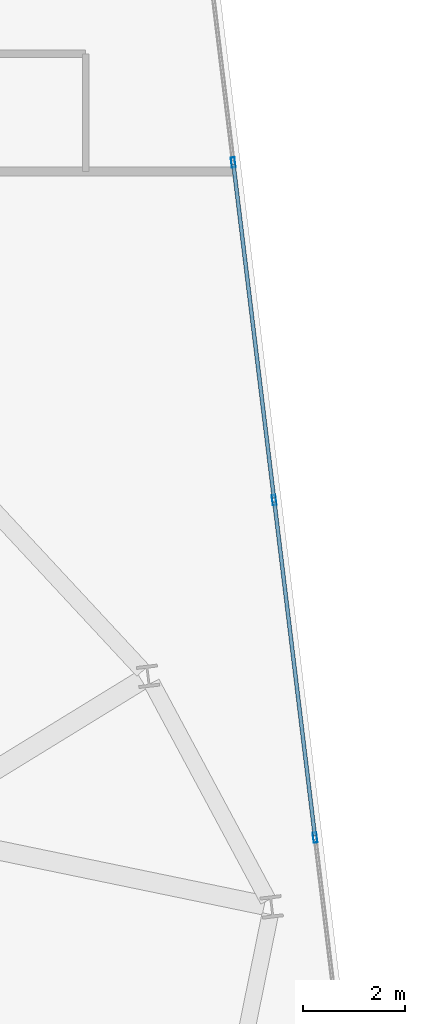
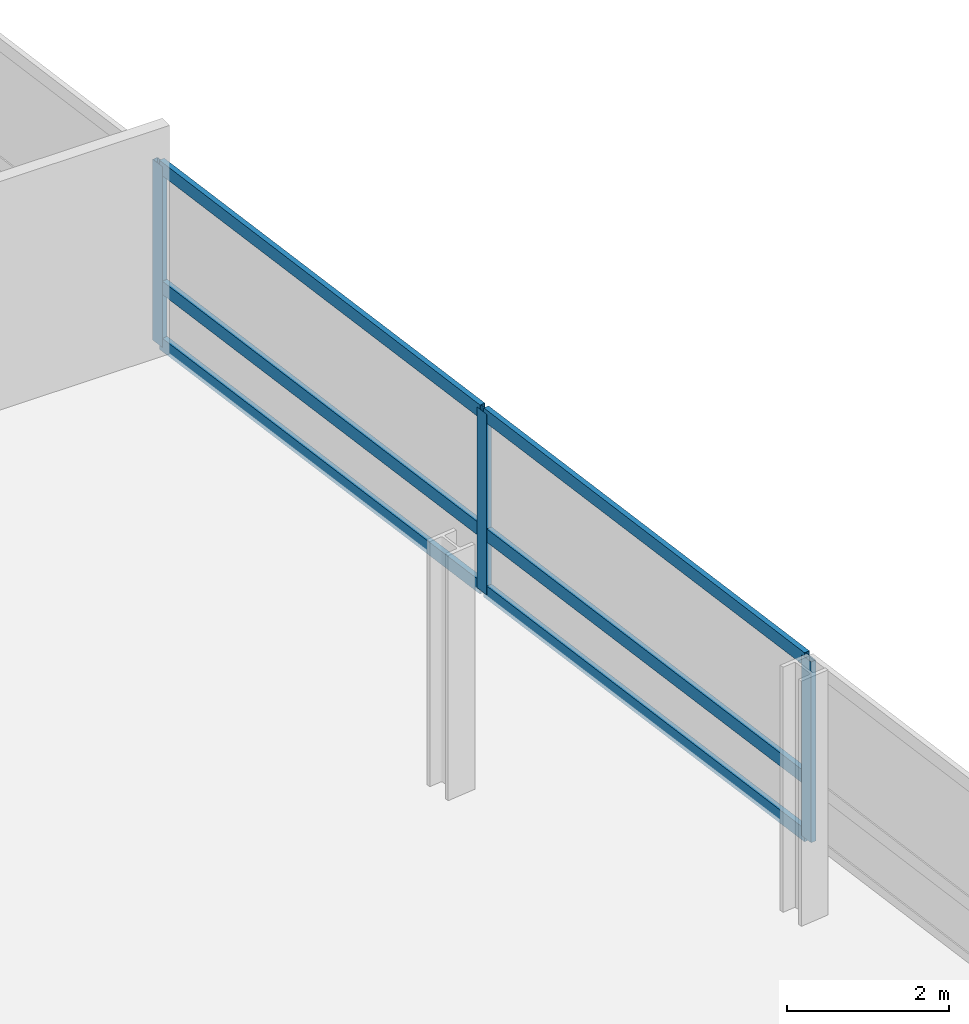
# One storey, part 11 of 23: 9 members, 1 element without a shape of its own.
"""IFC4 building model written with IfcOpenShell, lengths in metres."""

from ifc_helpers import new_model, si_unit, direction, frame, origin, origin_2d, place, context, subcontext, project, spatial, hollow_rectangle, extrude, material, layer, layer_set, material_profile, profile_set, type_object, element, aggregate, save


model = new_model("IFC4")

# Units and contexts
model_context = context("Model", 3, precision=1e-05, world=origin(), true_north=direction((0.0, 1.0)))
body_context = subcontext(model_context, "Body", "Model", "MODEL_VIEW")
ifc_project = project(units=[si_unit("LENGTHUNIT", "METRE"), si_unit("AREAUNIT", "SQUARE_METRE"), si_unit("VOLUMEUNIT", "CUBIC_METRE"), si_unit("PLANEANGLEUNIT", "RADIAN"), si_unit("MASSUNIT", "GRAM", prefix="KILO")], contexts=[model_context])

# Site, building, storey
site_placement = place(None, origin())
site = spatial("IfcSite", under=ifc_project, at=site_placement, CompositionType="ELEMENT")
building_placement = place(site_placement, origin())
building = spatial("IfcBuilding", under=site, at=building_placement, Name="Varnelok Gate Tower", CompositionType="ELEMENT")
storey_placement = place(building_placement, frame((0.0, 0.0, 200.5)))
storey = spatial("IfcBuildingStorey", under=building, at=storey_placement, Name="L51", CompositionType="ELEMENT", Elevation=200.5)

# Curtain wall, members
ifc_material = material(Name="Anodized Aluminum Alloy 6063-T6", Category="aluminium")
ifc_layer = layer(ifc_material, 0.179931640625)
ifc_layer_set = layer_set([ifc_layer], Name="Anodized Aluminum Alloy 6063-T6")
curtain_wall_type = type_object("IfcCurtainWallType", Name="CW4-RESIDENCE-VISION", PredefinedType="USERDEFINED", material=ifc_layer_set)
curtain_wall_placement = place(storey_placement, origin())
curtain_wall = element("IfcCurtainWall", 1, at=curtain_wall_placement, inside=storey, type_object=curtain_wall_type, Name="L51 East End Vision Curtain Wall", ObjectType="UNITISED CURTAIN WALL", PredefinedType="USERDEFINED")
ifc_material_profile_1 = material_profile(ifc_material, hollow_rectangle(XDim=0.074951171875, YDim=0.199951171875, WallThickness=0.00390625, at=origin_2d()), Name="ALU200X75X4")
ifc_profile_set_1 = profile_set([ifc_material_profile_1], Name="Anodized Aluminum Alloy 6063-T6")
member_type_1 = type_object("IfcMemberType", Name="CW-MULL-200", PredefinedType="MULLION", material=ifc_profile_set_1)
member_1_placement = place(storey_placement, frame((72.898681640625, 39.478515625, 0.0), z_axis=(0.0, 0.0, 1.0), x_axis=(0.992732188751, 0.120344511371, 0.0)))
member_1 = element("IfcMember", 2, at=member_1_placement, type_object=member_type_1, Name="CW4 mullion 2", PredefinedType="MULLION", context=body_context, shape_type="SweptSolid", body=[
    extrude(hollow_rectangle(XDim=0.074951171875, YDim=0.199951171875, WallThickness=0.00390625, at=origin_2d()), origin(), (0.0, 0.0, 1.0), 2.72998046875),
])
member_2_placement = place(storey_placement, frame((73.702392578125, 32.846923828125, 0.0), z_axis=(0.0, 0.0, 1.0), x_axis=(0.992732188751, 0.120344511371, 0.0)))
member_2 = element("IfcMember", 3, at=member_2_placement, type_object=member_type_1, Name="CW4 mullion 3", PredefinedType="MULLION", context=body_context, shape_type="SweptSolid", body=[
    extrude(hollow_rectangle(XDim=0.074951171875, YDim=0.199951171875, WallThickness=0.00390625, at=origin_2d()), origin(), (0.0, 0.0, 1.0), 2.72998046875),
])
member_3_placement = place(storey_placement, frame((74.50634765625, 26.215576171875, 0.0), z_axis=(0.0, 0.0, 1.0), x_axis=(0.992732188751, 0.120344511371, 0.0)))
member_3 = element("IfcMember", 4, at=member_3_placement, type_object=member_type_1, Name="CW4 mullion 4", PredefinedType="MULLION", context=body_context, shape_type="SweptSolid", body=[
    extrude(hollow_rectangle(XDim=0.074951171875, YDim=0.199951171875, WallThickness=0.00390625, at=origin_2d()), origin(), (0.0, 0.0, 1.0), 2.72998046875),
])
ifc_material_profile_2 = material_profile(ifc_material, hollow_rectangle(XDim=0.074951171875, YDim=0.199951171875, WallThickness=0.00390625, at=origin_2d()), Name="ALU200X75X4")
ifc_profile_set_2 = profile_set([ifc_material_profile_2], Name="Anodized Aluminum Alloy 6063-T6")
member_type_2 = type_object("IfcMemberType", Name="CW-TRAN-200", PredefinedType="USERDEFINED", material=ifc_profile_set_2)
member_4_placement = place(storey_placement, frame((72.903076171875, 39.441162109375, 0.03759765625), z_axis=(0.120353445289, -0.992731105691, 0.0), x_axis=(0.992731105691, 0.120353445289, 0.0)))
member_4 = element("IfcMember", 5, at=member_4_placement, type_object=member_type_2, Name="CW4 transom 2.1", ObjectType="TRANSOM", PredefinedType="USERDEFINED", context=body_context, shape_type="SweptSolid", body=[
    extrude(hollow_rectangle(XDim=0.074951171875, YDim=0.199951171875, WallThickness=0.00390625, at=origin_2d()), origin(), (0.0, 0.0, 1.0), 6.60498046875),
])
member_5_placement = place(storey_placement, frame((72.903076171875, 39.441162109375, 0.89990234375), z_axis=(0.120353445289, -0.992731105691, 0.0), x_axis=(0.992731105691, 0.120353445289, 0.0)))
member_5 = element("IfcMember", 6, at=member_5_placement, type_object=member_type_2, Name="CW4 transom 2.2", ObjectType="TRANSOM", PredefinedType="USERDEFINED", context=body_context, shape_type="SweptSolid", body=[
    extrude(hollow_rectangle(XDim=0.074951171875, YDim=0.199951171875, WallThickness=0.00390625, at=origin_2d()), origin(), (0.0, 0.0, 1.0), 6.60498046875),
])
member_6_placement = place(storey_placement, frame((72.903076171875, 39.441162109375, 2.6923828125), z_axis=(0.120353445289, -0.992731105691, 0.0), x_axis=(0.992731105691, 0.120353445289, 0.0)))
member_6 = element("IfcMember", 7, at=member_6_placement, type_object=member_type_2, Name="CW4 transom 2.3", ObjectType="TRANSOM", PredefinedType="USERDEFINED", context=body_context, shape_type="SweptSolid", body=[
    extrude(hollow_rectangle(XDim=0.074951171875, YDim=0.199951171875, WallThickness=0.00390625, at=origin_2d()), origin(), (0.0, 0.0, 1.0), 6.60498046875),
])
member_7_placement = place(storey_placement, frame((73.70703125, 32.809814453125, 0.03759765625), z_axis=(0.120349029092, -0.992731641078, 0.0), x_axis=(0.992731641078, 0.120349029092, 0.0)))
member_7 = element("IfcMember", 8, at=member_7_placement, type_object=member_type_2, Name="CW4 transom 3.1", ObjectType="TRANSOM", PredefinedType="USERDEFINED", context=body_context, shape_type="SweptSolid", body=[
    extrude(hollow_rectangle(XDim=0.074951171875, YDim=0.199951171875, WallThickness=0.00390625, at=origin_2d()), origin(), (0.0, 0.0, 1.0), 6.605224609375),
])
member_8_placement = place(storey_placement, frame((73.70703125, 32.809814453125, 0.89990234375), z_axis=(0.120349029092, -0.992731641078, 0.0), x_axis=(0.992731641078, 0.120349029092, 0.0)))
member_8 = element("IfcMember", 9, at=member_8_placement, type_object=member_type_2, Name="CW4 transom 3.2", ObjectType="TRANSOM", PredefinedType="USERDEFINED", context=body_context, shape_type="SweptSolid", body=[
    extrude(hollow_rectangle(XDim=0.074951171875, YDim=0.199951171875, WallThickness=0.00390625, at=origin_2d()), origin(), (0.0, 0.0, 1.0), 6.605224609375),
])
member_9_placement = place(storey_placement, frame((73.70703125, 32.809814453125, 2.6923828125), z_axis=(0.120349029092, -0.992731641078, 0.0), x_axis=(0.992731641078, 0.120349029092, 0.0)))
member_9 = element("IfcMember", 10, at=member_9_placement, type_object=member_type_2, Name="CW4 transom 3.3", ObjectType="TRANSOM", PredefinedType="USERDEFINED", context=body_context, shape_type="SweptSolid", body=[
    extrude(hollow_rectangle(XDim=0.074951171875, YDim=0.199951171875, WallThickness=0.00390625, at=origin_2d()), origin(), (0.0, 0.0, 1.0), 6.605224609375),
])
aggregate(curtain_wall, [member_1, member_2, member_3, member_4, member_5, member_6, member_7, member_8, member_9])

save(model, "model.ifc")
